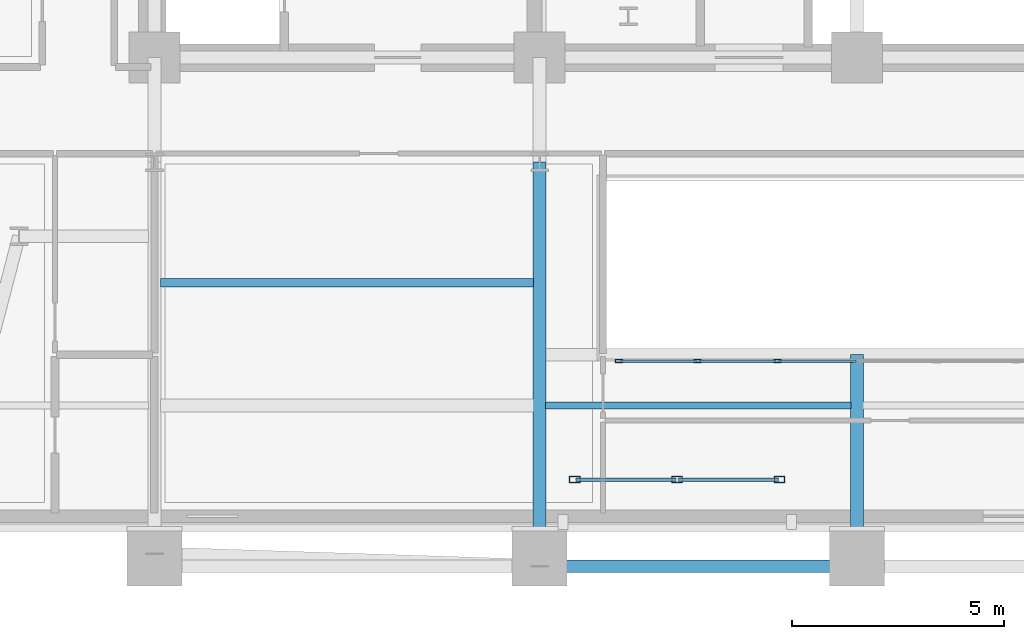
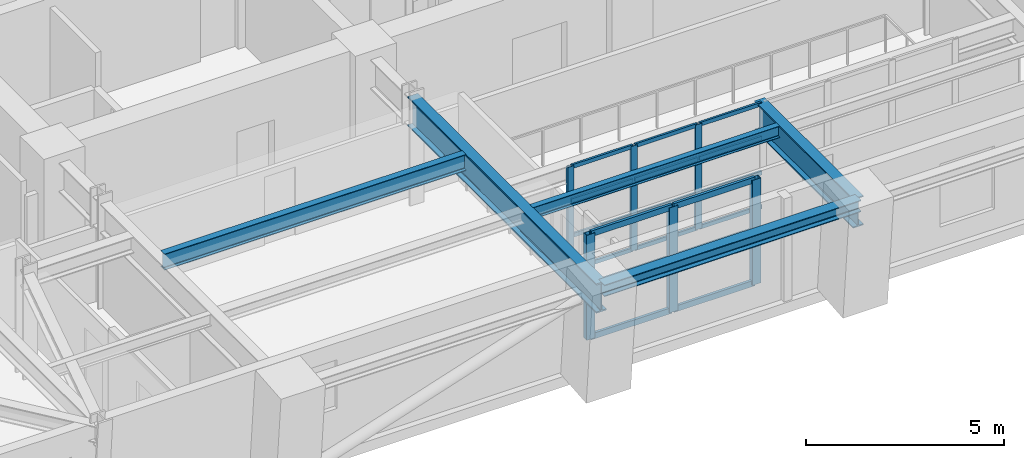
# One storey, part 2 of 15: 24 members, 5 beams, 2 elements without a shape of their own.
"""IFC4 building model written with IfcOpenShell, lengths in metres."""

import ifcopenshell
import ifcopenshell.guid

model = None  # the IFC model being written
_history = None  # IfcOwnerHistory: only IFC2X3 demands one
_inside = {}  # id of a spatial element -> (the spatial element, [elements in it])
_under = {}  # id of a project, library or spatial element -> (it, [spatial elements below it])
_declared = {}  # id of a project -> (the project, [libraries it declares])
_typed = {}  # id of a type object -> (the type object, [elements of that type])
_made_of = {}  # id of a material, layer set ... -> (it, [elements and type objects made of it])


def new_model(schema):
    """Start an empty IFC model of exactly this schema.

    Asked for "IFC4X3", IfcOpenShell would pick the latest addendum, in which some entities
    have other attributes; the version numbers below select the first issue.
    IFC2X3 requires an IfcOwnerHistory on every rooted entity: one is made here for all.
    """
    global model, _history
    if schema == "IFC4X3":
        model = ifcopenshell.file(schema_version=(4, 3, 0, 0))
    else:
        model = ifcopenshell.file(schema=schema)
    _inside.clear()
    _under.clear()
    _declared.clear()
    _typed.clear()
    _made_of.clear()
    _history = None
    if model.schema == "IFC2X3":
        org = make("IfcOrganization", Name="unknown")
        user = make(
            "IfcPersonAndOrganization",
            ThePerson=make("IfcPerson", FamilyName="unknown"),
            TheOrganization=org,
        )
        app = make(
            "IfcApplication",
            ApplicationDeveloper=org,
            Version="unknown",
            ApplicationFullName="unknown",
            ApplicationIdentifier="unknown",
        )
        _history = make(
            "IfcOwnerHistory",
            OwningUser=user,
            OwningApplication=app,
            ChangeAction="ADDED",
            CreationDate=0,
        )
    return model


def make(cls, **values):
    """One entity of the class cls with the attributes given. An attribute that is None is left unset."""
    return model.create_entity(
        cls, **{name: value for name, value in values.items() if value is not None}
    )


def rooted(cls, **values):
    """An entity with a GlobalId (a new one), such as an element, a storey or a relation."""
    return make(cls, GlobalId=ifcopenshell.guid.new(), OwnerHistory=_history, **values)


def si_unit(unit_type, name, prefix=None):
    """IfcSIUnit, for example si_unit("LENGTHUNIT", "METRE", prefix="MILLI")."""
    return make("IfcSIUnit", UnitType=unit_type, Prefix=prefix, Name=name)


def assignment(units):
    """IfcUnitAssignment: the units of a project."""
    return None if units is None else make("IfcUnitAssignment", Units=units)


def point(xyz):
    """IfcCartesianPoint."""
    return None if xyz is None else make("IfcCartesianPoint", Coordinates=xyz)


def direction(xyz):
    """IfcDirection."""
    return None if xyz is None else make("IfcDirection", DirectionRatios=xyz)


def frame(location, z_axis=None, x_axis=None):
    """IfcAxis2Placement3D, a coordinate frame: its origin and axes. An axis left out is left unset."""
    return make(
        "IfcAxis2Placement3D",
        Location=point(location),
        Axis=direction(z_axis),
        RefDirection=direction(x_axis),
    )


def frame_2d(location, x_axis=None):
    """IfcAxis2Placement2D, a coordinate frame in the plane: its origin and x axis."""
    return make(
        "IfcAxis2Placement2D", Location=point(location), RefDirection=direction(x_axis)
    )


def origin():
    """The frame at (0, 0, 0) with its axes left unset."""
    return frame((0.0, 0.0, 0.0))


def origin_2d():
    """The frame at (0, 0) in the plane with its x axis left unset."""
    return frame_2d((0.0, 0.0))


def place(relative_to, where):
    """IfcLocalPlacement: puts the frame where relative to a parent placement (None: the world)."""
    return make(
        "IfcLocalPlacement", PlacementRelTo=relative_to, RelativePlacement=where
    )


def context(
    kind, dimensions, precision=None, world=None, true_north=None, identifier=None
):
    """IfcGeometricRepresentationContext, for example the 3D "Model" context."""
    return make(
        "IfcGeometricRepresentationContext",
        ContextIdentifier=identifier,
        ContextType=kind,
        CoordinateSpaceDimension=dimensions,
        Precision=precision,
        WorldCoordinateSystem=world,
        TrueNorth=true_north,
    )


def subcontext(parent, identifier, kind, view, scale=None):
    """IfcGeometricRepresentationSubContext, for example "Body" below "Model"."""
    return make(
        "IfcGeometricRepresentationSubContext",
        ContextIdentifier=identifier,
        ContextType=kind,
        ParentContext=parent,
        TargetScale=scale,
        TargetView=view,
    )


def project(units=None, contexts=None):
    """IfcProject with its units and contexts."""
    return rooted(
        "IfcProject",
        Name="project",
        RepresentationContexts=contexts,
        UnitsInContext=assignment(units),
    )


def spatial(cls, under=None, at=None, **own):
    """A site, building, storey or space (cls), placed at a placement, below another one or the project."""
    s = rooted(cls, ObjectPlacement=at, **own)
    if under is not None:
        _under.setdefault(under.id(), (under, []))[1].append(s)
    return s


def profile(cls, at=None, kind="AREA", **sizes):
    """A parametric profile (cls). Its sizes go by their IFC names, for example OverallWidth=200.0."""
    return make(cls, ProfileType=kind, Position=at, **sizes)


def hollow_rectangle(**sizes):
    """IfcRectangleHollowProfileDef."""
    return profile("IfcRectangleHollowProfileDef", **sizes)


def i_section(**sizes):
    """IfcIShapeProfileDef."""
    return profile("IfcIShapeProfileDef", **sizes)


def extrude(swept, where, along, depth):
    """IfcExtrudedAreaSolid: the profile swept, set in the frame where, extruded along a direction by depth."""
    return make(
        "IfcExtrudedAreaSolid",
        SweptArea=swept,
        Position=where,
        ExtrudedDirection=direction(along),
        Depth=depth,
    )


def shape(context_of_items, identifier, shape_type, items):
    """IfcShapeRepresentation: the items that make up one representation, for example the "Body"."""
    return make(
        "IfcShapeRepresentation",
        ContextOfItems=context_of_items,
        RepresentationIdentifier=identifier,
        RepresentationType=shape_type,
        Items=items,
    )


def material(Name=None, Category=None):
    """IfcMaterial."""
    return make("IfcMaterial", Name=Name, Category=Category)


def layer(
    of_material, thickness, ventilated=None, Name=None, Category=None, Priority=None
):
    """IfcMaterialLayer: one layer of a wall or slab, of a material (None: an air gap)."""
    return make(
        "IfcMaterialLayer",
        Material=of_material,
        LayerThickness=thickness,
        IsVentilated=ventilated,
        Name=Name,
        Category=Category,
        Priority=Priority,
    )


def layer_set(layers, Name=None):
    """IfcMaterialLayerSet."""
    return make("IfcMaterialLayerSet", MaterialLayers=layers, LayerSetName=Name)


def material_profile(
    of_material, cross_section, Name=None, Category=None, Priority=None
):
    """IfcMaterialProfile: a cross section and its material."""
    return make(
        "IfcMaterialProfile",
        Name=Name,
        Material=of_material,
        Profile=cross_section,
        Priority=Priority,
        Category=Category,
    )


def profile_set(profiles, Name=None, composite=None):
    """IfcMaterialProfileSet."""
    return make(
        "IfcMaterialProfileSet",
        Name=Name,
        MaterialProfiles=profiles,
        CompositeProfile=composite,
    )


def made_of(thing, what):
    """Note that an element or type object is made of a material, layer set ...; save() writes the relation."""
    if what is not None:
        _made_of.setdefault(what.id(), (what, []))[1].append(thing)
    return thing


def type_object(cls, material=None, **own):
    """A type object (cls), such as IfcWallType, which elements share."""
    return made_of(rooted(cls, **own), material)


def element(
    cls,
    number,
    at=None,
    inside=None,
    cuts=None,
    type_object=None,
    material=None,
    context=None,
    identifier="Body",
    shape_type=None,
    held_by="IfcProductDefinitionShape",
    body=None,
    shapes=None,
    **own,
):
    """One element of the class cls, such as IfcWall. Its Tag is "e" and its number.

    at: its placement. inside: the storey or other place that contains it. cuts: it is an
    opening in that element (IfcRelVoidsElement). A single representation is given by context,
    identifier, shape_type and body (its items); several are given by shapes. held_by: the class
    of the entity that holds the representations. save() writes the other relations.
    """
    e = rooted(cls, Tag="e%d" % number, ObjectPlacement=at, **own)
    if body is not None:
        shapes = [shape(context, identifier, shape_type, body)]
    if shapes is not None:
        e.Representation = make(held_by, Representations=shapes)
    if inside is not None:
        _inside.setdefault(inside.id(), (inside, []))[1].append(e)
    if cuts is not None:
        rooted(
            "IfcRelVoidsElement", RelatingBuildingElement=cuts, RelatedOpeningElement=e
        )
    if type_object is not None:
        _typed.setdefault(type_object.id(), (type_object, []))[1].append(e)
    return made_of(e, material)


def aggregate(whole, parts):
    """IfcRelAggregates: a whole, such as a stair, and the parts it consists of."""
    return rooted("IfcRelAggregates", RelatingObject=whole, RelatedObjects=parts)


def save(model, path):
    """Write the relations noted so far, then the file.

    IfcRelAggregates (storeys below a building ...), IfcRelContainedInSpatialStructure (elements
    in a storey), IfcRelDefinesByType, IfcRelAssociatesMaterial and IfcRelDeclares: one each for
    every whole, place, type object, material and project.
    """
    for whole, parts in _under.values():
        aggregate(whole, parts)
    for where, things in _inside.values():
        rooted(
            "IfcRelContainedInSpatialStructure",
            RelatedElements=things,
            RelatingStructure=where,
        )
    for kind, things in _typed.values():
        rooted("IfcRelDefinesByType", RelatedObjects=things, RelatingType=kind)
    for what, things in _made_of.values():
        rooted("IfcRelAssociatesMaterial", RelatedObjects=things, RelatingMaterial=what)
    for by, libraries in _declared.values():
        rooted("IfcRelDeclares", RelatingContext=by, RelatedDefinitions=libraries)
    model.write(path)


model = new_model("IFC4")

# Units and contexts
model_context = context("Model", 3, precision=1e-05, world=origin(), true_north=direction((0.0, 1.0)))
body_context = subcontext(model_context, "Body", "Model", "MODEL_VIEW")
ifc_project = project(units=[si_unit("LENGTHUNIT", "METRE"), si_unit("AREAUNIT", "SQUARE_METRE"), si_unit("VOLUMEUNIT", "CUBIC_METRE"), si_unit("PLANEANGLEUNIT", "RADIAN"), si_unit("MASSUNIT", "GRAM", prefix="KILO")], contexts=[model_context])

# Site, building, storey
site_placement = place(None, origin())
site = spatial("IfcSite", under=ifc_project, at=site_placement, CompositionType="ELEMENT")
building_placement = place(site_placement, origin())
building = spatial("IfcBuilding", under=site, at=building_placement, Name="Zarnavel Station Tower", CompositionType="ELEMENT")
storey_placement = place(building_placement, frame((0.0, 0.0, 111.800048828125)))
storey = spatial("IfcBuildingStorey", under=building, at=storey_placement, Name="L30", CompositionType="ELEMENT", Elevation=111.800048828125)

# Curtain wall, members
ifc_material_1 = material(Name="Aluminium Dark Anodised and Solar-Control Glass", Category="aluminium")
ifc_layer_1 = layer(ifc_material_1, 0.179931640625)
ifc_layer_set_1 = layer_set([ifc_layer_1], Name="CWS3")
curtain_wall_type_1 = type_object("IfcCurtainWallType", Name="CWS3", PredefinedType="NOTDEFINED", material=ifc_layer_set_1)
curtain_wall_1_placement = place(storey_placement, origin())
curtain_wall_1 = element("IfcCurtainWall", 1, at=curtain_wall_1_placement, inside=storey, type_object=curtain_wall_type_1, Name="L30 Curtain Wall CWS3-L30-AS", PredefinedType="NOTDEFINED")
ifc_material_2 = material(Name="Steel S355J2 (Black Fluoropolymer Coated)", Category="steel")
ifc_material_profile_1 = material_profile(ifc_material_2, hollow_rectangle(XDim=0.080078125, YDim=0.179931640625, WallThickness=0.00634765625, at=origin_2d()), Name="RHS180x80x6.3")
ifc_profile_set_1 = profile_set([ifc_material_profile_1], Name="Steel S355J2 (Black Fluoropolymer Coated)")
member_type_1 = type_object("IfcMemberType", Name="CWS3_MUL", PredefinedType="MULLION", material=ifc_profile_set_1)
member_1_placement = place(storey_placement, frame((23.179931640625, 20.64990234375, 0.0), z_axis=(0.0, 0.0, 1.0), x_axis=(0.0, 1.0, 0.0)))
member_1 = element("IfcMember", 2, at=member_1_placement, type_object=member_type_1, Name="CW3 mullion 1", PredefinedType="MULLION", context=body_context, shape_type="SweptSolid", body=[
    extrude(hollow_rectangle(XDim=0.080078125, YDim=0.179931640625, WallThickness=0.00634765625, at=origin_2d()), origin(), (0.0, 0.0, 1.0), 3.239990234375),
])
member_2_placement = place(storey_placement, frame((25.033447265625, 20.64990234375, 0.0), z_axis=(0.0, 0.0, 1.0), x_axis=(0.0, 1.0, 0.0)))
member_2 = element("IfcMember", 3, at=member_2_placement, type_object=member_type_1, Name="CW3 mullion 2", PredefinedType="MULLION", context=body_context, shape_type="SweptSolid", body=[
    extrude(hollow_rectangle(XDim=0.080078125, YDim=0.179931640625, WallThickness=0.00634765625, at=origin_2d()), origin(), (0.0, 0.0, 1.0), 3.239990234375),
])
member_3_placement = place(storey_placement, frame((26.916748046875, 20.64990234375, 0.0), z_axis=(0.0, 0.0, 1.0), x_axis=(0.0, 1.0, 0.0)))
member_3 = element("IfcMember", 4, at=member_3_placement, type_object=member_type_1, Name="CW3 mullion 3", PredefinedType="MULLION", context=body_context, shape_type="SweptSolid", body=[
    extrude(hollow_rectangle(XDim=0.080078125, YDim=0.179931640625, WallThickness=0.00634765625, at=origin_2d()), origin(), (0.0, 0.0, 1.0), 3.239990234375),
])
ifc_material_3 = material(Name="Steel S355J2 (Black Fluoropolymer Coated)", Category="steel")
ifc_material_profile_2 = material_profile(ifc_material_3, hollow_rectangle(XDim=0.06005859375, YDim=0.1201171875, WallThickness=0.0048828125, at=origin_2d()), Name="RHS120x60x5")
ifc_profile_set_2 = profile_set([ifc_material_profile_2], Name="Steel S355J2 (Black Fluoropolymer Coated)")
member_type_2 = type_object("IfcMemberType", Name="CWS3_TRN", PredefinedType="USERDEFINED", material=ifc_profile_set_2)
member_4_placement = place(storey_placement, frame((23.2099609375, 20.64990234375, 0.030029296875), z_axis=(1.0, 0.0, 0.0), x_axis=(0.0, 1.0, 0.0)))
member_4 = element("IfcMember", 5, at=member_4_placement, type_object=member_type_2, Name="CW3 transom 1.1", ObjectType="TRANSOM", PredefinedType="USERDEFINED", context=body_context, shape_type="SweptSolid", body=[
    extrude(hollow_rectangle(XDim=0.06005859375, YDim=0.1201171875, WallThickness=0.0048828125, at=origin_2d()), origin(), (0.0, 0.0, 1.0), 1.79345703125),
])
member_5_placement = place(storey_placement, frame((23.2099609375, 20.64990234375, 1.079833984375), z_axis=(1.0, 0.0, 0.0), x_axis=(0.0, 1.0, 0.0)))
member_5 = element("IfcMember", 6, at=member_5_placement, type_object=member_type_2, Name="CW3 transom 1.2", ObjectType="TRANSOM", PredefinedType="USERDEFINED", context=body_context, shape_type="SweptSolid", body=[
    extrude(hollow_rectangle(XDim=0.06005859375, YDim=0.1201171875, WallThickness=0.0048828125, at=origin_2d()), origin(), (0.0, 0.0, 1.0), 1.79345703125),
])
member_6_placement = place(storey_placement, frame((23.2099609375, 20.64990234375, 2.159912109375), z_axis=(1.0, 0.0, 0.0), x_axis=(0.0, 1.0, 0.0)))
member_6 = element("IfcMember", 7, at=member_6_placement, type_object=member_type_2, Name="CW3 transom 1.3", ObjectType="TRANSOM", PredefinedType="USERDEFINED", context=body_context, shape_type="SweptSolid", body=[
    extrude(hollow_rectangle(XDim=0.06005859375, YDim=0.1201171875, WallThickness=0.0048828125, at=origin_2d()), origin(), (0.0, 0.0, 1.0), 1.79345703125),
])
member_7_placement = place(storey_placement, frame((23.2099609375, 20.64990234375, 3.2099609375), z_axis=(1.0, 0.0, 0.0), x_axis=(0.0, 1.0, 0.0)))
member_7 = element("IfcMember", 8, at=member_7_placement, type_object=member_type_2, Name="CW3 transom 1.4", ObjectType="TRANSOM", PredefinedType="USERDEFINED", context=body_context, shape_type="SweptSolid", body=[
    extrude(hollow_rectangle(XDim=0.06005859375, YDim=0.1201171875, WallThickness=0.0048828125, at=origin_2d()), origin(), (0.0, 0.0, 1.0), 1.79345703125),
])
member_8_placement = place(storey_placement, frame((25.063232421875, 20.64990234375, 0.030029296875), z_axis=(1.0, 0.0, 0.0), x_axis=(0.0, 1.0, 0.0)))
member_8 = element("IfcMember", 9, at=member_8_placement, type_object=member_type_2, Name="CW3 transom 2.1", ObjectType="TRANSOM", PredefinedType="USERDEFINED", context=body_context, shape_type="SweptSolid", body=[
    extrude(hollow_rectangle(XDim=0.06005859375, YDim=0.1201171875, WallThickness=0.0048828125, at=origin_2d()), origin(), (0.0, 0.0, 1.0), 1.823486328125),
])
member_9_placement = place(storey_placement, frame((25.063232421875, 20.64990234375, 1.079833984375), z_axis=(1.0, 0.0, 0.0), x_axis=(0.0, 1.0, 0.0)))
member_9 = element("IfcMember", 10, at=member_9_placement, type_object=member_type_2, Name="CW3 transom 2.2", ObjectType="TRANSOM", PredefinedType="USERDEFINED", context=body_context, shape_type="SweptSolid", body=[
    extrude(hollow_rectangle(XDim=0.06005859375, YDim=0.1201171875, WallThickness=0.0048828125, at=origin_2d()), origin(), (0.0, 0.0, 1.0), 1.823486328125),
])
member_10_placement = place(storey_placement, frame((25.063232421875, 20.64990234375, 2.159912109375), z_axis=(1.0, 0.0, 0.0), x_axis=(0.0, 1.0, 0.0)))
member_10 = element("IfcMember", 11, at=member_10_placement, type_object=member_type_2, Name="CW3 transom 2.3", ObjectType="TRANSOM", PredefinedType="USERDEFINED", context=body_context, shape_type="SweptSolid", body=[
    extrude(hollow_rectangle(XDim=0.06005859375, YDim=0.1201171875, WallThickness=0.0048828125, at=origin_2d()), origin(), (0.0, 0.0, 1.0), 1.823486328125),
])
member_11_placement = place(storey_placement, frame((25.063232421875, 20.64990234375, 3.2099609375), z_axis=(1.0, 0.0, 0.0), x_axis=(0.0, 1.0, 0.0)))
member_11 = element("IfcMember", 12, at=member_11_placement, type_object=member_type_2, Name="CW3 transom 2.4", ObjectType="TRANSOM", PredefinedType="USERDEFINED", context=body_context, shape_type="SweptSolid", body=[
    extrude(hollow_rectangle(XDim=0.06005859375, YDim=0.1201171875, WallThickness=0.0048828125, at=origin_2d()), origin(), (0.0, 0.0, 1.0), 1.823486328125),
])
member_12_placement = place(storey_placement, frame((26.94677734375, 20.64990234375, 0.030029296875), z_axis=(1.0, 0.0, 0.0), x_axis=(0.0, 1.0, 0.0)))
member_12 = element("IfcMember", 13, at=member_12_placement, type_object=member_type_2, Name="CW3 transom 3.1", ObjectType="TRANSOM", PredefinedType="USERDEFINED", context=body_context, shape_type="SweptSolid", body=[
    extrude(hollow_rectangle(XDim=0.06005859375, YDim=0.1201171875, WallThickness=0.0048828125, at=origin_2d()), origin(), (0.0, 0.0, 1.0), 1.8232421875),
])
member_13_placement = place(storey_placement, frame((26.94677734375, 20.64990234375, 1.079833984375), z_axis=(1.0, 0.0, 0.0), x_axis=(0.0, 1.0, 0.0)))
member_13 = element("IfcMember", 14, at=member_13_placement, type_object=member_type_2, Name="CW3 transom 3.2", ObjectType="TRANSOM", PredefinedType="USERDEFINED", context=body_context, shape_type="SweptSolid", body=[
    extrude(hollow_rectangle(XDim=0.06005859375, YDim=0.1201171875, WallThickness=0.0048828125, at=origin_2d()), origin(), (0.0, 0.0, 1.0), 1.8232421875),
])
member_14_placement = place(storey_placement, frame((26.94677734375, 20.64990234375, 2.159912109375), z_axis=(1.0, 0.0, 0.0), x_axis=(0.0, 1.0, 0.0)))
member_14 = element("IfcMember", 15, at=member_14_placement, type_object=member_type_2, Name="CW3 transom 3.3", ObjectType="TRANSOM", PredefinedType="USERDEFINED", context=body_context, shape_type="SweptSolid", body=[
    extrude(hollow_rectangle(XDim=0.06005859375, YDim=0.1201171875, WallThickness=0.0048828125, at=origin_2d()), origin(), (0.0, 0.0, 1.0), 1.8232421875),
])
member_15_placement = place(storey_placement, frame((26.94677734375, 20.64990234375, 3.2099609375), z_axis=(1.0, 0.0, 0.0), x_axis=(0.0, 1.0, 0.0)))
member_15 = element("IfcMember", 16, at=member_15_placement, type_object=member_type_2, Name="CW3 transom 3.4", ObjectType="TRANSOM", PredefinedType="USERDEFINED", context=body_context, shape_type="SweptSolid", body=[
    extrude(hollow_rectangle(XDim=0.06005859375, YDim=0.1201171875, WallThickness=0.0048828125, at=origin_2d()), origin(), (0.0, 0.0, 1.0), 1.8232421875),
])
aggregate(curtain_wall_1, [member_1, member_2, member_3, member_4, member_5, member_6, member_7, member_8, member_9, member_10, member_11, member_12, member_13, member_14, member_15])

ifc_material_4 = material(Name="Aluminium Dark Anodised and Solar-Control Glass", Category="aluminium")
ifc_layer_2 = layer(ifc_material_4, 0.179931640625)
ifc_layer_set_2 = layer_set([ifc_layer_2], Name="CWS6")
curtain_wall_type_2 = type_object("IfcCurtainWallType", Name="CWS6", PredefinedType="NOTDEFINED", material=ifc_layer_set_2)
curtain_wall_2_placement = place(storey_placement, origin())
curtain_wall_2 = element("IfcCurtainWall", 17, at=curtain_wall_2_placement, inside=storey, type_object=curtain_wall_type_2, Name="L30 Curtain Wall CWS6-LOG-L30", PredefinedType="NOTDEFINED")
ifc_material_5 = material(Name="Steel S355J2 (Black Fluoropolymer Coated)", Category="steel")
ifc_material_profile_3 = material_profile(ifc_material_5, hollow_rectangle(XDim=0.14990234375, YDim=0.25, WallThickness=0.010009765625, at=origin_2d()), Name="RHS250x150x10")
ifc_profile_set_3 = profile_set([ifc_material_profile_3], Name="Steel S355J2 (Black Fluoropolymer Coated)")
member_type_3 = type_object("IfcMemberType", Name="CWS6_MUL", PredefinedType="MULLION", material=ifc_profile_set_3)
member_16_placement = place(storey_placement, frame((22.1298828125, 17.85009765625, 0.0), z_axis=(0.0, 0.0, 1.0), x_axis=(0.0, 1.0, 0.0)))
member_16 = element("IfcMember", 18, at=member_16_placement, type_object=member_type_3, Name="CW6 mullion 1", PredefinedType="MULLION", context=body_context, shape_type="SweptSolid", body=[
    extrude(hollow_rectangle(XDim=0.14990234375, YDim=0.25, WallThickness=0.010009765625, at=origin_2d()), origin(), (0.0, 0.0, 1.0), 3.239990234375),
])
member_17_placement = place(storey_placement, frame((24.550048828125, 17.85009765625, 0.0), z_axis=(0.0, 0.0, 1.0), x_axis=(0.0, 1.0, 0.0)))
member_17 = element("IfcMember", 19, at=member_17_placement, type_object=member_type_3, Name="CW6 mullion 2", PredefinedType="MULLION", context=body_context, shape_type="SweptSolid", body=[
    extrude(hollow_rectangle(XDim=0.14990234375, YDim=0.25, WallThickness=0.010009765625, at=origin_2d()), origin(), (0.0, 0.0, 1.0), 3.239990234375),
])
member_18_placement = place(storey_placement, frame((26.969970703125, 17.85009765625, 0.0), z_axis=(0.0, 0.0, 1.0), x_axis=(0.0, 1.0, 0.0)))
member_18 = element("IfcMember", 20, at=member_18_placement, type_object=member_type_3, Name="CW6 mullion 3", PredefinedType="MULLION", context=body_context, shape_type="SweptSolid", body=[
    extrude(hollow_rectangle(XDim=0.14990234375, YDim=0.25, WallThickness=0.010009765625, at=origin_2d()), origin(), (0.0, 0.0, 1.0), 3.239990234375),
])
ifc_material_6 = material(Name="Steel S355J2 (Black Fluoropolymer Coated)", Category="steel")
ifc_material_profile_4 = material_profile(ifc_material_6, hollow_rectangle(XDim=0.080078125, YDim=0.179931640625, WallThickness=0.00634765625, at=origin_2d()), Name="RHS180x80x6.3")
ifc_profile_set_4 = profile_set([ifc_material_profile_4], Name="Steel S355J2 (Black Fluoropolymer Coated)")
member_type_4 = type_object("IfcMemberType", Name="CWS6_TRN", PredefinedType="USERDEFINED", material=ifc_profile_set_4)
member_19_placement = place(storey_placement, frame((22.159912109375, 17.85009765625, 0.030029296875), z_axis=(1.0, 0.0, 0.0), x_axis=(0.0, 1.0, 0.0)))
member_19 = element("IfcMember", 21, at=member_19_placement, type_object=member_type_4, Name="CW6 transom 1.1", ObjectType="TRANSOM", PredefinedType="USERDEFINED", context=body_context, shape_type="SweptSolid", body=[
    extrude(hollow_rectangle(XDim=0.080078125, YDim=0.179931640625, WallThickness=0.00634765625, at=origin_2d()), origin(), (0.0, 0.0, 1.0), 2.360107421875),
])
member_20_placement = place(storey_placement, frame((22.159912109375, 17.85009765625, 1.619873046875), z_axis=(1.0, 0.0, 0.0), x_axis=(0.0, 1.0, 0.0)))
member_20 = element("IfcMember", 22, at=member_20_placement, type_object=member_type_4, Name="CW6 transom 1.2", ObjectType="TRANSOM", PredefinedType="USERDEFINED", context=body_context, shape_type="SweptSolid", body=[
    extrude(hollow_rectangle(XDim=0.080078125, YDim=0.179931640625, WallThickness=0.00634765625, at=origin_2d()), origin(), (0.0, 0.0, 1.0), 2.360107421875),
])
member_21_placement = place(storey_placement, frame((22.159912109375, 17.85009765625, 3.2099609375), z_axis=(1.0, 0.0, 0.0), x_axis=(0.0, 1.0, 0.0)))
member_21 = element("IfcMember", 23, at=member_21_placement, type_object=member_type_4, Name="CW6 transom 1.3", ObjectType="TRANSOM", PredefinedType="USERDEFINED", context=body_context, shape_type="SweptSolid", body=[
    extrude(hollow_rectangle(XDim=0.080078125, YDim=0.179931640625, WallThickness=0.00634765625, at=origin_2d()), origin(), (0.0, 0.0, 1.0), 2.360107421875),
])
member_22_placement = place(storey_placement, frame((24.580078125, 17.85009765625, 0.030029296875), z_axis=(1.0, 0.0, 0.0), x_axis=(0.0, 1.0, 0.0)))
member_22 = element("IfcMember", 24, at=member_22_placement, type_object=member_type_4, Name="CW6 transom 2.1", ObjectType="TRANSOM", PredefinedType="USERDEFINED", context=body_context, shape_type="SweptSolid", body=[
    extrude(hollow_rectangle(XDim=0.080078125, YDim=0.179931640625, WallThickness=0.00634765625, at=origin_2d()), origin(), (0.0, 0.0, 1.0), 2.35986328125),
])
member_23_placement = place(storey_placement, frame((24.580078125, 17.85009765625, 1.619873046875), z_axis=(1.0, 0.0, 0.0), x_axis=(0.0, 1.0, 0.0)))
member_23 = element("IfcMember", 25, at=member_23_placement, type_object=member_type_4, Name="CW6 transom 2.2", ObjectType="TRANSOM", PredefinedType="USERDEFINED", context=body_context, shape_type="SweptSolid", body=[
    extrude(hollow_rectangle(XDim=0.080078125, YDim=0.179931640625, WallThickness=0.00634765625, at=origin_2d()), origin(), (0.0, 0.0, 1.0), 2.35986328125),
])
member_24_placement = place(storey_placement, frame((24.580078125, 17.85009765625, 3.2099609375), z_axis=(1.0, 0.0, 0.0), x_axis=(0.0, 1.0, 0.0)))
member_24 = element("IfcMember", 26, at=member_24_placement, type_object=member_type_4, Name="CW6 transom 2.3", ObjectType="TRANSOM", PredefinedType="USERDEFINED", context=body_context, shape_type="SweptSolid", body=[
    extrude(hollow_rectangle(XDim=0.080078125, YDim=0.179931640625, WallThickness=0.00634765625, at=origin_2d()), origin(), (0.0, 0.0, 1.0), 2.35986328125),
])
aggregate(curtain_wall_2, [member_16, member_17, member_18, member_19, member_20, member_21, member_22, member_23, member_24])

# Beams
ifc_material_7 = material(Name="Steel S355J2", Category="steel")
ifc_material_profile_5 = material_profile(ifc_material_7, i_section(OverallWidth=0.300048828125, OverallDepth=0.360107421875, WebThickness=0.012451171875, FlangeThickness=0.0224609375, FilletRadius=0.027099609375, at=origin_2d()), Name="HEB360")
ifc_profile_set_5 = profile_set([ifc_material_profile_5], Name="Steel S355J2")
beam_type_1 = type_object("IfcBeamType", Name="EB_HEB360", PredefinedType="SPANDREL", material=ifc_profile_set_5)
beam_1_placement = place(storey_placement, frame((21.300048828125, 15.802978515625, 3.06005859375), z_axis=(1.0, 0.0, 0.0), x_axis=(0.0, 1.0, 0.0)))
element("IfcBeam", 27, at=beam_1_placement, inside=storey, type_object=beam_type_1, Name="L30 South Raked Spandrel 2", PredefinedType="SPANDREL", context=body_context, shape_type="SweptSolid", body=[
    extrude(i_section(OverallWidth=0.300048828125, OverallDepth=0.360107421875, WebThickness=0.012451171875, FlangeThickness=0.0224609375, FilletRadius=0.027099609375, at=origin_2d()), origin(), (0.0, 0.0, 1.0), 7.5),
])
ifc_material_8 = material(Name="Steel S355J2", Category="steel")
ifc_material_profile_6 = material_profile(ifc_material_8, i_section(OverallWidth=0.199951171875, OverallDepth=0.5, WebThickness=0.01025390625, FlangeThickness=0.01611328125, FilletRadius=0.02099609375, at=origin_2d()), Name="IPE500")
ifc_profile_set_6 = profile_set([ifc_material_profile_6], Name="Steel S355J2")
beam_type_2 = type_object("IfcBeamType", Name="FB_IPE500", PredefinedType="BEAM", material=ifc_profile_set_6)
beam_2_placement = place(storey_placement, frame((12.344970703125, 22.5009765625, 2.989990234375), z_axis=(1.0, 0.0, 0.0), x_axis=(0.0, 1.0, 0.0)))
element("IfcBeam", 28, at=beam_2_placement, inside=storey, type_object=beam_type_2, Name="L30 West Bay Beam 2", PredefinedType="BEAM", context=body_context, shape_type="SweptSolid", body=[
    extrude(i_section(OverallWidth=0.199951171875, OverallDepth=0.5, WebThickness=0.01025390625, FlangeThickness=0.01611328125, FilletRadius=0.02099609375, at=origin_2d()), origin(), (0.0, 0.0, 1.0), 8.81005859375),
])
ifc_material_9 = material(Name="Steel S355J2", Category="steel")
ifc_material_profile_7 = material_profile(ifc_material_9, i_section(OverallWidth=0.169921875, OverallDepth=0.360107421875, WebThickness=0.008056640625, FlangeThickness=0.0126953125, FilletRadius=0.01806640625, at=origin_2d()), Name="IPE360")
ifc_profile_set_7 = profile_set([ifc_material_profile_7], Name="Steel S355J2")
beam_type_3 = type_object("IfcBeamType", Name="FJ_IPE360", PredefinedType="JOIST", material=ifc_profile_set_7)
beam_3_placement = place(storey_placement, frame((21.445068359375, 19.60205078125, 3.06005859375), z_axis=(1.0, 0.0, 0.0), x_axis=(0.0, 1.0, 0.0)))
element("IfcBeam", 29, at=beam_3_placement, inside=storey, type_object=beam_type_3, Name="L30 Mid-West Joist 1", PredefinedType="JOIST", context=body_context, shape_type="SweptSolid", body=[
    extrude(i_section(OverallWidth=0.169921875, OverallDepth=0.360107421875, WebThickness=0.008056640625, FlangeThickness=0.0126953125, FilletRadius=0.01806640625, at=origin_2d()), origin(), (0.0, 0.0, 1.0), 7.2099609375),
])
ifc_material_10 = material(Name="Steel S460M", Category="steel")
ifc_material_profile_8 = material_profile(ifc_material_10, i_section(OverallWidth=0.302001953125, OverallDepth=0.909912109375, WebThickness=0.02099609375, FlangeThickness=0.0400390625, FilletRadius=0.030029296875, at=origin_2d()), Name="HEM900")
ifc_profile_set_8 = profile_set([ifc_material_profile_8], Name="Steel S460M")
beam_type_4 = type_object("IfcBeamType", Name="TG_HEM900", PredefinedType="USERDEFINED", material=ifc_profile_set_8)
beam_4_placement = place(storey_placement, frame((21.300048828125, 15.802978515625, 2.784912109375), z_axis=(0.0, 1.0, 0.0), x_axis=(-1.0, 0.0, 0.0)))
element("IfcBeam", 30, at=beam_4_placement, inside=storey, type_object=beam_type_4, Name="L30 South-Zone NS Girder 2", ObjectType="GIRDER", PredefinedType="USERDEFINED", context=body_context, shape_type="SweptSolid", body=[
    extrude(i_section(OverallWidth=0.302001953125, OverallDepth=0.909912109375, WebThickness=0.02099609375, FlangeThickness=0.0400390625, FilletRadius=0.030029296875, at=origin_2d()), origin(), (0.0, 0.0, 1.0), 9.547119140625),
])
beam_5_placement = place(storey_placement, frame((28.800048828125, 15.802978515625, 2.784912109375), z_axis=(0.0, 1.0, 0.0), x_axis=(-1.0, 0.0, 0.0)))
element("IfcBeam", 31, at=beam_5_placement, inside=storey, type_object=beam_type_4, Name="L30 Central Atrium-South Girder", ObjectType="GIRDER", PredefinedType="USERDEFINED", context=body_context, shape_type="SweptSolid", body=[
    extrude(i_section(OverallWidth=0.302001953125, OverallDepth=0.909912109375, WebThickness=0.02099609375, FlangeThickness=0.0400390625, FilletRadius=0.030029296875, at=origin_2d()), origin(), (0.0, 0.0, 1.0), 4.9970703125),
])

save(model, "model.ifc")
